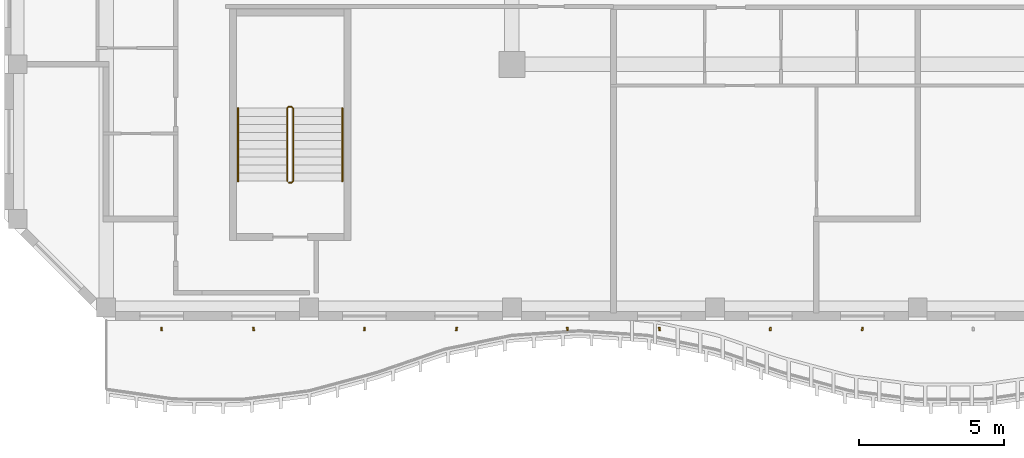
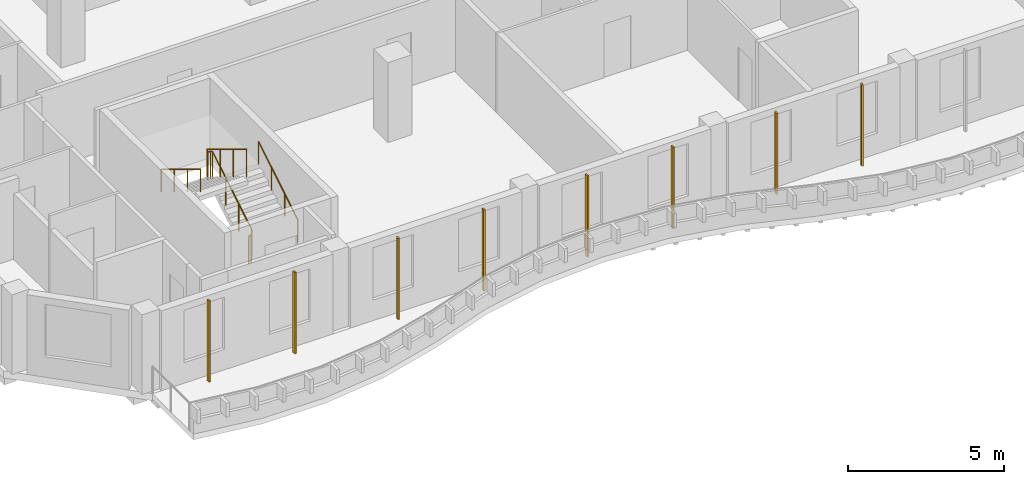
# One storey, part 12 of 17: 8 shading devices, 3 railings.
"""IFC4 building model written with IfcOpenShell, lengths in metres."""

from ifc_helpers import new_model, si_unit, direction, frame, origin, origin_2d, place, context, subcontext, project, spatial, rectangle, circle, extrude, source, transform, mapped, material, material_profile, profile_set, type_object, element, save


model = new_model("IFC4")

# Units and contexts
model_context = context("Model", 3, precision=1e-05, world=origin(), true_north=direction((0.0, 1.0)))
body_context = subcontext(model_context, "Body", "Model", "MODEL_VIEW")
ifc_project = project(units=[si_unit("LENGTHUNIT", "METRE"), si_unit("AREAUNIT", "SQUARE_METRE"), si_unit("VOLUMEUNIT", "CUBIC_METRE"), si_unit("PLANEANGLEUNIT", "RADIAN"), si_unit("MASSUNIT", "GRAM", prefix="KILO")], contexts=[model_context])

# Site, building, storey
site_placement = place(None, origin())
site = spatial("IfcSite", under=ifc_project, at=site_placement, CompositionType="ELEMENT")
building_placement = place(site_placement, origin())
building = spatial("IfcBuilding", under=site, at=building_placement, Name="Kilnfold Tower and Market Hall", CompositionType="ELEMENT")
storey_placement = place(building_placement, frame((0.0, 0.0, 273.800048828125)))
storey = spatial("IfcBuildingStorey", under=building, at=storey_placement, Name="L67", CompositionType="ELEMENT", Elevation=273.800048828125)

# Railings
ifc_material_1 = material(Name="Stainless steel 316", Category="steel")
railing_type_1 = type_object("IfcRailingType", Name="CORE STAIR GUARD 1100", PredefinedType="GUARDRAIL", material=ifc_material_1)
railing_1_placement = place(storey_placement, frame((-15.699951171875, -13.75, 0.0)))
element("IfcRailing", 1, at=railing_1_placement, inside=storey, type_object=railing_type_1, Name="L67 ST3 stair guard 1", PredefinedType="GUARDRAIL", context=body_context, shape_type="SweptSolid", body=[
    extrude(circle(Radius=0.02392578125, at=origin_2d()), frame((0.0, 0.0, 1.076171875), z_axis=(1.0, 0.0, 0.0), x_axis=(0.0, 1.0, 0.0)), (0.0, 0.0, 1.0), 0.099853515625),
    extrude(circle(Radius=0.02392578125, at=origin_2d()), frame((0.099853515625, 0.0, 1.076171875), z_axis=(0.271895245746, 0.271895245746, 0.923117517265), x_axis=(-0.707106781187, 0.707106781187, 0.0)), (0.0, 0.0, 1.0), 0.18408203125),
    extrude(circle(Radius=0.02392578125, at=origin_2d()), frame((0.14990234375, 0.050048828125, 1.24609375), z_axis=(0.0, 0.85478489116, 0.518982456201), x_axis=(-1.0, 0.0, 0.0)), (0.0, 0.0, 1.0), 2.9482421875),
    extrude(circle(Radius=0.02392578125, at=origin_2d()), frame((0.14990234375, 2.570068359375, 2.77587890625), z_axis=(-0.707106781187, 0.707106781187, 0.0), x_axis=(-0.707106781187, -0.707106781187, 0.0)), (0.0, 0.0, 1.0), 0.07080078125),
    extrude(circle(Radius=0.02392578125, at=origin_2d()), frame((0.099853515625, 2.6201171875, 2.77587890625), z_axis=(-1.0, 0.0, 0.0), x_axis=(0.0, -1.0, 0.0)), (0.0, 0.0, 1.0), 0.099853515625),
    extrude(circle(Radius=0.02392578125, at=origin_2d()), frame((0.0, 2.6201171875, 2.77587890625), z_axis=(-0.271895245746, -0.271895245746, 0.923117517265), x_axis=(0.707106781187, -0.707106781187, 0.0)), (0.0, 0.0, 1.0), 0.18408203125),
    extrude(circle(Radius=0.02392578125, at=origin_2d()), frame((-0.050048828125, 2.570068359375, 2.94580078125), z_axis=(0.0, -0.85478489116, 0.518982456201), x_axis=(1.0, 0.0, 0.0)), (0.0, 0.0, 1.0), 2.9482421875),
    extrude(circle(Radius=0.02099609375, at=origin_2d()), origin(), (0.0, 0.0, 1.0), 1.052001953125),
    extrude(circle(Radius=0.02099609375, at=origin_2d()), frame((0.099853515625, 0.0, 0.0)), (0.0, 0.0, 1.0), 1.052001953125),
    extrude(circle(Radius=0.02099609375, at=origin_2d()), frame((0.14990234375, 0.050048828125, 0.169921875)), (0.0, 0.0, 1.0), 1.052001953125),
    extrude(circle(Radius=0.02099609375, at=origin_2d()), frame((0.14990234375, 0.89013671875, 0.679931640625)), (0.0, 0.0, 1.0), 1.052001953125),
    extrude(circle(Radius=0.02099609375, at=origin_2d()), frame((0.14990234375, 1.72998046875, 1.18994140625)), (0.0, 0.0, 1.0), 1.052001953125),
    extrude(circle(Radius=0.02099609375, at=origin_2d()), frame((0.14990234375, 2.570068359375, 1.699951171875)), (0.0, 0.0, 1.0), 1.052001953125),
    extrude(circle(Radius=0.02099609375, at=origin_2d()), frame((0.099853515625, 2.6201171875, 1.699951171875)), (0.0, 0.0, 1.0), 1.052001953125),
    extrude(circle(Radius=0.02099609375, at=origin_2d()), frame((0.0, 2.6201171875, 1.699951171875)), (0.0, 0.0, 1.0), 1.052001953125),
    extrude(circle(Radius=0.02099609375, at=origin_2d()), frame((-0.050048828125, 2.570068359375, 1.869873046875)), (0.0, 0.0, 1.0), 1.052001953125),
    extrude(circle(Radius=0.02099609375, at=origin_2d()), frame((-0.050048828125, 1.72998046875, 2.3798828125)), (0.0, 0.0, 1.0), 1.052001953125),
    extrude(circle(Radius=0.02099609375, at=origin_2d()), frame((-0.050048828125, 0.89013671875, 2.889892578125)), (0.0, 0.0, 1.0), 1.052001953125),
    extrude(circle(Radius=0.02099609375, at=origin_2d()), frame((-0.050048828125, 0.050048828125, 3.39990234375)), (0.0, 0.0, 1.0), 1.052001953125),
])
ifc_material_2 = material(Name="Stainless steel 316", Category="steel")
railing_type_2 = type_object("IfcRailingType", Name="CORE STAIR HANDRAIL 900", PredefinedType="HANDRAIL", material=ifc_material_2)
railing_2_placement = place(storey_placement, frame((-13.85009765625, -13.699951171875, 0.169921875)))
element("IfcRailing", 2, at=railing_2_placement, inside=storey, type_object=railing_type_2, Name="L67 ST3 stair handrail 1", PredefinedType="HANDRAIL", context=body_context, shape_type="SweptSolid", body=[
    extrude(circle(Radius=0.02392578125, at=origin_2d()), frame((0.0, 0.0, 0.8759765625), z_axis=(0.0, 0.85478489116, 0.518982456201), x_axis=(-1.0, 0.0, 0.0)), (0.0, 0.0, 1.0), 2.9482421875),
    extrude(circle(Radius=0.02099609375, at=origin_2d()), origin(), (0.0, 0.0, 1.0), 0.851806640625),
    extrude(circle(Radius=0.02099609375, at=origin_2d()), frame((0.0, 0.840087890625, 0.510009765625)), (0.0, 0.0, 1.0), 0.851806640625),
    extrude(circle(Radius=0.02099609375, at=origin_2d()), frame((0.0, 1.679931640625, 1.02001953125)), (0.0, 0.0, 1.0), 0.851806640625),
    extrude(circle(Radius=0.02099609375, at=origin_2d()), frame((0.0, 2.52001953125, 1.530029296875)), (0.0, 0.0, 1.0), 0.851806640625),
])
railing_3_placement = place(storey_placement, frame((-17.449951171875, -11.179931640625, 1.869873046875)))
element("IfcRailing", 3, at=railing_3_placement, inside=storey, type_object=railing_type_2, Name="L67 ST3 stair handrail 2", PredefinedType="HANDRAIL", context=body_context, shape_type="SweptSolid", body=[
    extrude(circle(Radius=0.02392578125, at=origin_2d()), frame((0.0, 0.0, 0.8759765625), z_axis=(0.0, -0.85478489116, 0.518982456201), x_axis=(1.0, 0.0, 0.0)), (0.0, 0.0, 1.0), 2.9482421875),
    extrude(circle(Radius=0.02099609375, at=origin_2d()), origin(), (0.0, 0.0, 1.0), 0.851806640625),
    extrude(circle(Radius=0.02099609375, at=origin_2d()), frame((0.0, -0.840087890625, 0.510009765625)), (0.0, 0.0, 1.0), 0.851806640625),
    extrude(circle(Radius=0.02099609375, at=origin_2d()), frame((0.0, -1.679931640625, 1.02001953125)), (0.0, 0.0, 1.0), 0.851806640625),
    extrude(circle(Radius=0.02099609375, at=origin_2d()), frame((0.0, -2.52001953125, 1.530029296875)), (0.0, 0.0, 1.0), 0.851806640625),
])

# Shading devices
ifc_material_3 = material(Name="Terracotta", Category="masonry")
ifc_material_profile = material_profile(ifc_material_3, rectangle(XDim=0.06005859375, YDim=0.1201171875, at=origin_2d()), Name="BAG 60x120")
ifc_profile_set = profile_set([ifc_material_profile], Name="Terracotta")
shading_device_type = type_object("IfcShadingDeviceType", Name="BAGUETTE", PredefinedType="USERDEFINED", material=ifc_profile_set)
shared_shape = source(origin(), body_context, "Body", "SweptSolid", [
    extrude(rectangle(XDim=0.06005859375, YDim=0.1201171875, at=origin_2d()), origin(), (0.0, 0.0, 1.0), 3.179931640625),
])
for number, where, z_axis, x_axis, name in (
    (4, (-20.08740234375, -18.800048828125, 0.0), (0.0, 0.0, 1.0), (0.998060120672, 0.062257493715, 0.0), "Terracotta baguette L67 S"),
    (5, (-16.91259765625, -18.800048828125, 0.0), (0.0, 0.0, 1.0), (0.991210230341, 0.132296180093, 0.0), "Terracotta baguette L67 S"),
    (6, (-13.08740234375, -18.800048828125, 0.0), (0.0, 0.0, 1.0), (0.998060120672, -0.062257493715, 0.0), "Terracotta baguette L67 S"),
    (7, (-9.91259765625, -18.800048828125, 0.0), (0.0, 0.0, 1.0), (0.991210230341, -0.132296180093, 0.0), "Terracotta baguette L67 S"),
    (8, (-6.08740234375, -18.800048828125, 0.0), (0.0, 0.0, 1.0), (0.998060120672, 0.062257493715, 0.0), "Terracotta baguette L67 S"),
    (9, (-2.91259765625, -18.800048828125, 0.0), (0.0, 0.0, 1.0), (0.991210230341, 0.132296180093, 0.0), "Terracotta baguette L67 S"),
    (10, (0.91259765625, -18.800048828125, 0.0), (0.0, 0.0, 1.0), (0.998060120672, -0.062257493715, 0.0), "Terracotta baguette L67 S"),
    (11, (4.08740234375, -18.800048828125, 0.0), (0.0, 0.0, 1.0), (0.991210230341, -0.132296180093, 0.0), "Terracotta baguette L67 S"),
):
    element("IfcShadingDevice", number, at=place(storey_placement, frame(where, z_axis=z_axis, x_axis=x_axis)), inside=storey, type_object=shading_device_type, Name=name, ObjectType="BAGUETTE", PredefinedType="USERDEFINED", context=body_context, shape_type="MappedRepresentation", body=[
        mapped(shared_shape, transform((0.0, 0.0, 0.0))),
    ])

save(model, "model.ifc")
